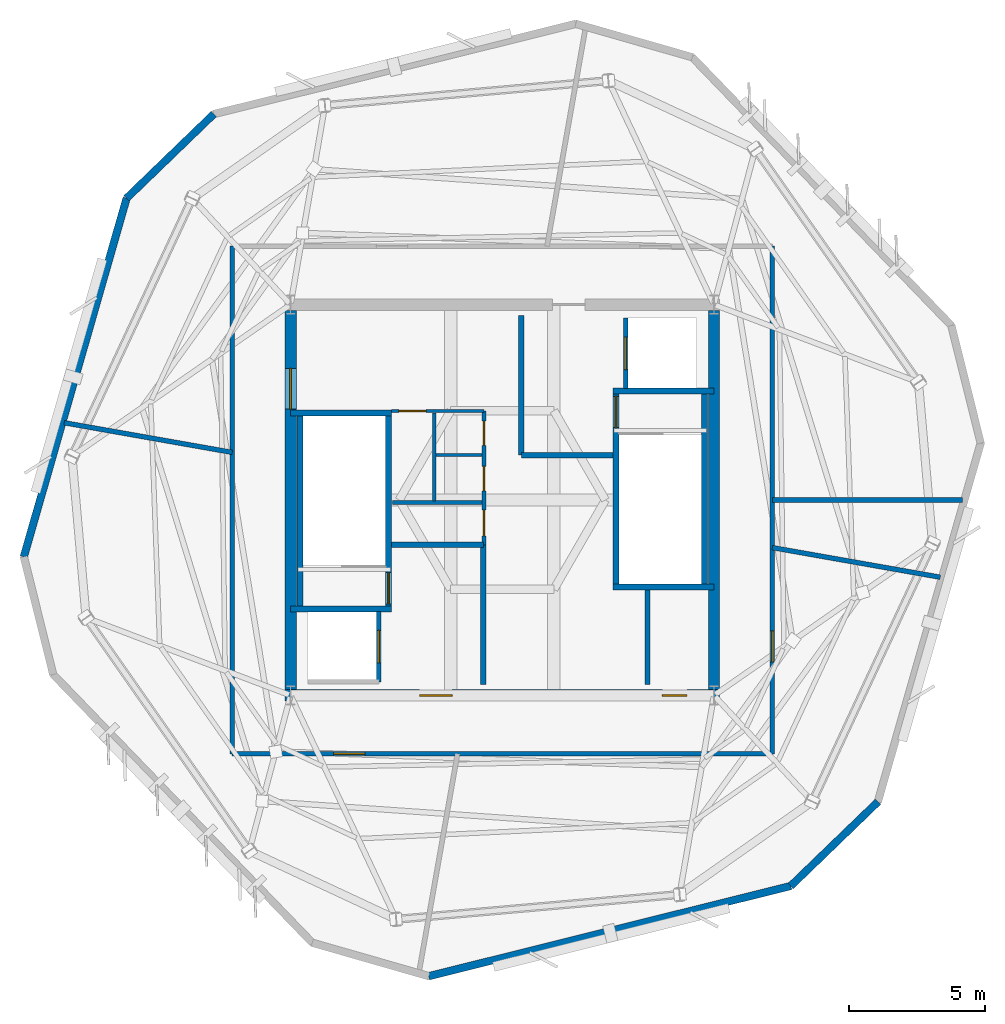
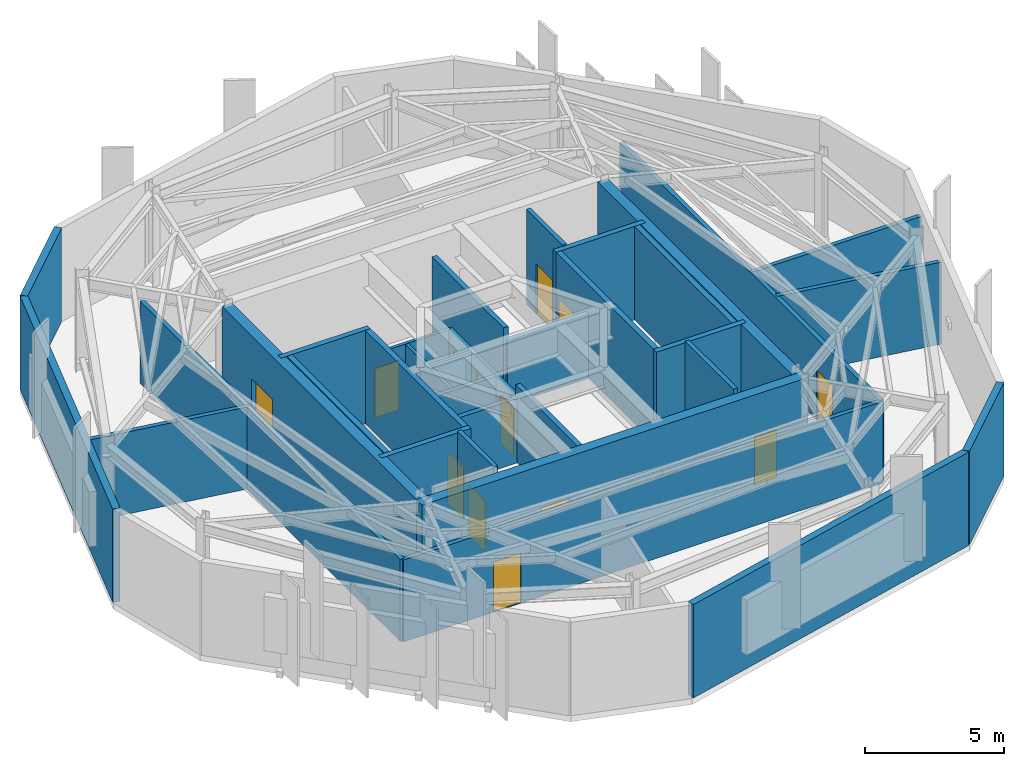
# One storey, part 3 of 5: 33 walls, 13 doors, 13 openings.
"""IFC4 building model written with IfcOpenShell, lengths in metres."""

import ifcopenshell
import ifcopenshell.guid

model = None  # the IFC model being written
_history = None  # IfcOwnerHistory: only IFC2X3 demands one
_inside = {}  # id of a spatial element -> (the spatial element, [elements in it])
_under = {}  # id of a project, library or spatial element -> (it, [spatial elements below it])
_declared = {}  # id of a project -> (the project, [libraries it declares])
_typed = {}  # id of a type object -> (the type object, [elements of that type])
_made_of = {}  # id of a material, layer set ... -> (it, [elements and type objects made of it])


def new_model(schema):
    """Start an empty IFC model of exactly this schema.

    Asked for "IFC4X3", IfcOpenShell would pick the latest addendum, in which some entities
    have other attributes; the version numbers below select the first issue.
    IFC2X3 requires an IfcOwnerHistory on every rooted entity: one is made here for all.
    """
    global model, _history
    if schema == "IFC4X3":
        model = ifcopenshell.file(schema_version=(4, 3, 0, 0))
    else:
        model = ifcopenshell.file(schema=schema)
    _inside.clear()
    _under.clear()
    _declared.clear()
    _typed.clear()
    _made_of.clear()
    _history = None
    if model.schema == "IFC2X3":
        org = make("IfcOrganization", Name="unknown")
        user = make(
            "IfcPersonAndOrganization",
            ThePerson=make("IfcPerson", FamilyName="unknown"),
            TheOrganization=org,
        )
        app = make(
            "IfcApplication",
            ApplicationDeveloper=org,
            Version="unknown",
            ApplicationFullName="unknown",
            ApplicationIdentifier="unknown",
        )
        _history = make(
            "IfcOwnerHistory",
            OwningUser=user,
            OwningApplication=app,
            ChangeAction="ADDED",
            CreationDate=0,
        )
    return model


def make(cls, **values):
    """One entity of the class cls with the attributes given. An attribute that is None is left unset."""
    return model.create_entity(
        cls, **{name: value for name, value in values.items() if value is not None}
    )


def rooted(cls, **values):
    """An entity with a GlobalId (a new one), such as an element, a storey or a relation."""
    return make(cls, GlobalId=ifcopenshell.guid.new(), OwnerHistory=_history, **values)


def si_unit(unit_type, name, prefix=None):
    """IfcSIUnit, for example si_unit("LENGTHUNIT", "METRE", prefix="MILLI")."""
    return make("IfcSIUnit", UnitType=unit_type, Prefix=prefix, Name=name)


def assignment(units):
    """IfcUnitAssignment: the units of a project."""
    return None if units is None else make("IfcUnitAssignment", Units=units)


def point(xyz):
    """IfcCartesianPoint."""
    return None if xyz is None else make("IfcCartesianPoint", Coordinates=xyz)


def direction(xyz):
    """IfcDirection."""
    return None if xyz is None else make("IfcDirection", DirectionRatios=xyz)


def frame(location, z_axis=None, x_axis=None):
    """IfcAxis2Placement3D, a coordinate frame: its origin and axes. An axis left out is left unset."""
    return make(
        "IfcAxis2Placement3D",
        Location=point(location),
        Axis=direction(z_axis),
        RefDirection=direction(x_axis),
    )


def frame_2d(location, x_axis=None):
    """IfcAxis2Placement2D, a coordinate frame in the plane: its origin and x axis."""
    return make(
        "IfcAxis2Placement2D", Location=point(location), RefDirection=direction(x_axis)
    )


def origin():
    """The frame at (0, 0, 0) with its axes left unset."""
    return frame((0.0, 0.0, 0.0))


def place(relative_to, where):
    """IfcLocalPlacement: puts the frame where relative to a parent placement (None: the world)."""
    return make(
        "IfcLocalPlacement", PlacementRelTo=relative_to, RelativePlacement=where
    )


def context(
    kind, dimensions, precision=None, world=None, true_north=None, identifier=None
):
    """IfcGeometricRepresentationContext, for example the 3D "Model" context."""
    return make(
        "IfcGeometricRepresentationContext",
        ContextIdentifier=identifier,
        ContextType=kind,
        CoordinateSpaceDimension=dimensions,
        Precision=precision,
        WorldCoordinateSystem=world,
        TrueNorth=true_north,
    )


def subcontext(parent, identifier, kind, view, scale=None):
    """IfcGeometricRepresentationSubContext, for example "Body" below "Model"."""
    return make(
        "IfcGeometricRepresentationSubContext",
        ContextIdentifier=identifier,
        ContextType=kind,
        ParentContext=parent,
        TargetScale=scale,
        TargetView=view,
    )


def project(units=None, contexts=None):
    """IfcProject with its units and contexts."""
    return rooted(
        "IfcProject",
        Name="project",
        RepresentationContexts=contexts,
        UnitsInContext=assignment(units),
    )


def spatial(cls, under=None, at=None, **own):
    """A site, building, storey or space (cls), placed at a placement, below another one or the project."""
    s = rooted(cls, ObjectPlacement=at, **own)
    if under is not None:
        _under.setdefault(under.id(), (under, []))[1].append(s)
    return s


def profile(cls, at=None, kind="AREA", **sizes):
    """A parametric profile (cls). Its sizes go by their IFC names, for example OverallWidth=200.0."""
    return make(cls, ProfileType=kind, Position=at, **sizes)


def rectangle(**sizes):
    """IfcRectangleProfileDef."""
    return profile("IfcRectangleProfileDef", **sizes)


def extrude(swept, where, along, depth):
    """IfcExtrudedAreaSolid: the profile swept, set in the frame where, extruded along a direction by depth."""
    return make(
        "IfcExtrudedAreaSolid",
        SweptArea=swept,
        Position=where,
        ExtrudedDirection=direction(along),
        Depth=depth,
    )


def shape(context_of_items, identifier, shape_type, items):
    """IfcShapeRepresentation: the items that make up one representation, for example the "Body"."""
    return make(
        "IfcShapeRepresentation",
        ContextOfItems=context_of_items,
        RepresentationIdentifier=identifier,
        RepresentationType=shape_type,
        Items=items,
    )


def material(Name=None, Category=None):
    """IfcMaterial."""
    return make("IfcMaterial", Name=Name, Category=Category)


def layer(
    of_material, thickness, ventilated=None, Name=None, Category=None, Priority=None
):
    """IfcMaterialLayer: one layer of a wall or slab, of a material (None: an air gap)."""
    return make(
        "IfcMaterialLayer",
        Material=of_material,
        LayerThickness=thickness,
        IsVentilated=ventilated,
        Name=Name,
        Category=Category,
        Priority=Priority,
    )


def layer_set(layers, Name=None):
    """IfcMaterialLayerSet."""
    return make("IfcMaterialLayerSet", MaterialLayers=layers, LayerSetName=Name)


def made_of(thing, what):
    """Note that an element or type object is made of a material, layer set ...; save() writes the relation."""
    if what is not None:
        _made_of.setdefault(what.id(), (what, []))[1].append(thing)
    return thing


def type_object(cls, material=None, **own):
    """A type object (cls), such as IfcWallType, which elements share."""
    return made_of(rooted(cls, **own), material)


def element(
    cls,
    number,
    at=None,
    inside=None,
    cuts=None,
    type_object=None,
    material=None,
    context=None,
    identifier="Body",
    shape_type=None,
    held_by="IfcProductDefinitionShape",
    body=None,
    shapes=None,
    **own,
):
    """One element of the class cls, such as IfcWall. Its Tag is "e" and its number.

    at: its placement. inside: the storey or other place that contains it. cuts: it is an
    opening in that element (IfcRelVoidsElement). A single representation is given by context,
    identifier, shape_type and body (its items); several are given by shapes. held_by: the class
    of the entity that holds the representations. save() writes the other relations.
    """
    e = rooted(cls, Tag="e%d" % number, ObjectPlacement=at, **own)
    if body is not None:
        shapes = [shape(context, identifier, shape_type, body)]
    if shapes is not None:
        e.Representation = make(held_by, Representations=shapes)
    if inside is not None:
        _inside.setdefault(inside.id(), (inside, []))[1].append(e)
    if cuts is not None:
        rooted(
            "IfcRelVoidsElement", RelatingBuildingElement=cuts, RelatedOpeningElement=e
        )
    if type_object is not None:
        _typed.setdefault(type_object.id(), (type_object, []))[1].append(e)
    return made_of(e, material)


def fill(opening, filler):
    """IfcRelFillsElement: the door or window that sits in an opening."""
    return rooted(
        "IfcRelFillsElement",
        RelatingOpeningElement=opening,
        RelatedBuildingElement=filler,
    )


def aggregate(whole, parts):
    """IfcRelAggregates: a whole, such as a stair, and the parts it consists of."""
    return rooted("IfcRelAggregates", RelatingObject=whole, RelatedObjects=parts)


def save(model, path):
    """Write the relations noted so far, then the file.

    IfcRelAggregates (storeys below a building ...), IfcRelContainedInSpatialStructure (elements
    in a storey), IfcRelDefinesByType, IfcRelAssociatesMaterial and IfcRelDeclares: one each for
    every whole, place, type object, material and project.
    """
    for whole, parts in _under.values():
        aggregate(whole, parts)
    for where, things in _inside.values():
        rooted(
            "IfcRelContainedInSpatialStructure",
            RelatedElements=things,
            RelatingStructure=where,
        )
    for kind, things in _typed.values():
        rooted("IfcRelDefinesByType", RelatedObjects=things, RelatingType=kind)
    for what, things in _made_of.values():
        rooted("IfcRelAssociatesMaterial", RelatedObjects=things, RelatingMaterial=what)
    for by, libraries in _declared.values():
        rooted("IfcRelDeclares", RelatingContext=by, RelatedDefinitions=libraries)
    model.write(path)


model = new_model("IFC4")

# Units and contexts
model_context = context("Model", 3, precision=1e-05, world=origin(), true_north=direction((0.0, 1.0)))
body_context = subcontext(model_context, "Body", "Model", "MODEL_VIEW")
ifc_project = project(units=[si_unit("LENGTHUNIT", "METRE"), si_unit("AREAUNIT", "SQUARE_METRE"), si_unit("VOLUMEUNIT", "CUBIC_METRE"), si_unit("PLANEANGLEUNIT", "RADIAN"), si_unit("MASSUNIT", "GRAM", prefix="KILO")], contexts=[model_context])

# Site, building, storey
site_placement = place(None, origin())
site = spatial("IfcSite", under=ifc_project, at=site_placement, CompositionType="ELEMENT")
building_placement = place(site_placement, origin())
building = spatial("IfcBuilding", under=site, at=building_placement, Name="Kranzbogen Civic Tower", CompositionType="ELEMENT")
storey_placement = place(building_placement, frame((0.0, 0.0, 322.60009765625)))
storey = spatial("IfcBuildingStorey", under=building, at=storey_placement, Name="L78", CompositionType="ELEMENT", Elevation=322.60009765625)

# Wall, opening, door
ifc_material_1 = material(Name="Insulated Metal-Stud Gypsum Partition")
ifc_layer_1 = layer(ifc_material_1, 0.125, Name="Insulated Metal-Stud Gypsum Partition")
ifc_layer_set_1 = layer_set([ifc_layer_1], Name="Insulated Metal-Stud Gypsum Partition")
wall_type_1 = type_object("IfcWallType", Name="Acoustic Inter-Room Partition 125 mm", PredefinedType="PARTITIONING", material=ifc_layer_set_1)
wall_1_placement = place(storey_placement, frame((20.919921875, 28.280029296875, 0.0), z_axis=(0.0, 0.0, 1.0), x_axis=(1.0, 0.0, 0.0)))
wall_1 = element("IfcWall", 1, at=wall_1_placement, inside=storey, type_object=wall_type_1, Name="L78 core auxiliary North wall", PredefinedType="PARTITIONING", context=body_context, shape_type="SweptSolid", body=[
    extrude(rectangle(XDim=3.405029296875, YDim=0.125, at=frame_2d((1.70263671875, 0.0))), origin(), (0.0, 0.0, 1.0), 2.81982421875),
])
opening_1_placement = place(wall_1_placement, frame((0.27001953125, 0.0, 0.0)))
opening_1 = element("IfcOpeningElement", 2, at=opening_1_placement, cuts=wall_1, Name="Opening D-RSR10", PredefinedType="OPENING", context=body_context, shape_type="SweptSolid", body=[
    extrude(rectangle(XDim=1.0, YDim=2.14990234375, at=frame_2d((0.5, 1.074951171875))), frame((0.0, 0.072509765625, 0.0), z_axis=(0.0, -1.0, 0.0), x_axis=(1.0, 0.0, 0.0)), (0.0, 0.0, 1.0), 0.14501953125),
])
ifc_material_2 = material(Name="Oak Timber and Fire Core", Category="wood")
door_type_1 = type_object("IfcDoorType", Name="Core Archive and Riser Fire Door 1000x2150", OperationType="NOTDEFINED", PredefinedType="DOOR", material=ifc_material_2)
door_1_placement = place(opening_1_placement, origin())
door_1 = element("IfcDoor", 3, at=door_1_placement, inside=storey, type_object=door_type_1, Name="L78 Floor Supply Store door", OperationType="SINGLE_SWING_RIGHT", OverallHeight=2.14990234375, OverallWidth=1.0, PredefinedType="DOOR", context=body_context, shape_type="SweptSolid", body=[
    extrude(rectangle(XDim=1.0, YDim=2.14990234375, at=frame_2d((0.5, 1.074951171875))), frame((0.0, 0.02490234375, 0.0), z_axis=(0.0, -1.0, 0.0), x_axis=(1.0, 0.0, 0.0)), (0.0, 0.0, 1.0), 0.050048828125),
])
fill(opening_1, door_1)

# Walls
wall_2_placement = place(storey_placement, frame((22.489990234375, 24.969970703125, 0.0), z_axis=(0.0, 0.0, 1.0), x_axis=(0.0, 1.0, 0.0)))
element("IfcWall", 4, at=wall_2_placement, inside=storey, type_object=wall_type_1, Name="L78 core auxiliary partition 2", PredefinedType="PARTITIONING", context=body_context, shape_type="SweptSolid", body=[
    extrude(rectangle(XDim=3.22998046875, YDim=0.125, at=frame_2d((1.614990234375, 0.0))), origin(), (0.0, 0.0, 1.0), 2.81982421875),
])
wall_3_placement = place(storey_placement, frame((22.550048828125, 26.659912109375, 0.0), z_axis=(0.0, 0.0, 1.0), x_axis=(1.0, 0.0, 0.0)))
element("IfcWall", 5, at=wall_3_placement, inside=storey, type_object=wall_type_1, Name="L78 core auxiliary partition 3", PredefinedType="PARTITIONING", context=body_context, shape_type="SweptSolid", body=[
    extrude(rectangle(XDim=1.699951171875, YDim=0.125, at=frame_2d((0.85009765625, 0.0))), origin(), (0.0, 0.0, 1.0), 2.81982421875),
])

# Wall, openings, doors
ifc_material_3 = material(Name="Concrete C45/55", Category="concrete")
ifc_layer_2 = layer(ifc_material_3, 0.419921875, Name="Concrete C45/55")
ifc_layer_set_2 = layer_set([ifc_layer_2], Name="Concrete C45/55")
wall_type_2 = type_object("IfcWallType", Name="Central Core Shear Wall 420 mm", PredefinedType="SHEAR", material=ifc_layer_set_2)
wall_4_placement = place(storey_placement, frame((16.989990234375, 17.800048828125, 0.0), z_axis=(0.0, 0.0, 1.0), x_axis=(1.0, 0.0, 0.0)))
wall_4 = element("IfcWall", 6, at=wall_4_placement, inside=storey, type_object=wall_type_2, Name="L78 central core South shear wall", PredefinedType="SHEAR", context=body_context, shape_type="SweptSolid", body=[
    extrude(rectangle(XDim=16.02001953125, YDim=0.419921875, at=frame_2d((8.010009765625, 0.0))), origin(), (0.0, 0.0, 1.0), 4.099853515625),
])
opening_2_placement = place(wall_4_placement, frame((4.9599609375, 0.0, 0.0)))
opening_2 = element("IfcOpeningElement", 7, at=opening_2_placement, cuts=wall_4, Name="Opening D-EX120", PredefinedType="OPENING", context=body_context, shape_type="SweptSolid", body=[
    extrude(rectangle(XDim=1.199951171875, YDim=2.25, at=frame_2d((0.60009765625, 1.125))), frame((0.0, 0.219970703125, 0.0), z_axis=(0.0, -1.0, 0.0), x_axis=(1.0, 0.0, 0.0)), (0.0, 0.0, 1.0), 0.43994140625),
])
opening_3_placement = place(wall_4_placement, frame((13.909912109375, 0.0, 0.0)))
opening_3 = element("IfcOpeningElement", 8, at=opening_3_placement, cuts=wall_4, Name="Opening D-WC90", PredefinedType="OPENING", context=body_context, shape_type="SweptSolid", body=[
    extrude(rectangle(XDim=0.89990234375, YDim=2.10009765625, at=frame_2d((0.449951171875, 1.050048828125))), frame((0.0, 0.219970703125, 0.0), z_axis=(0.0, -1.0, 0.0), x_axis=(1.0, 0.0, 0.0)), (0.0, 0.0, 1.0), 0.43994140625),
])
ifc_material_4 = material(Name="Steel S355", Category="steel")
door_type_2 = type_object("IfcDoorType", Name="Exit Passageway Fire Door 1200x2250", OperationType="NOTDEFINED", PredefinedType="DOOR", material=ifc_material_4)
door_2_placement = place(opening_2_placement, origin())
door_2 = element("IfcDoor", 9, at=door_2_placement, inside=storey, type_object=door_type_2, Name="L78 West firefighting lobby corridor door", OperationType="SINGLE_SWING_LEFT", OverallHeight=2.25, OverallWidth=1.199951171875, PredefinedType="DOOR", context=body_context, shape_type="SweptSolid", body=[
    extrude(rectangle(XDim=1.199951171875, YDim=2.25, at=frame_2d((0.60009765625, 1.125))), frame((0.0, 0.02490234375, 0.0), z_axis=(0.0, -1.0, 0.0), x_axis=(1.0, 0.0, 0.0)), (0.0, 0.0, 1.0), 0.050048828125),
])
fill(opening_2, door_2)
ifc_material_5 = material(Name="Moisture-Resistant Laminate")
door_type_3 = type_object("IfcDoorType", Name="Standard Restroom and Store Door 900x2100", OperationType="NOTDEFINED", PredefinedType="DOOR", material=ifc_material_5)
door_3_placement = place(opening_3_placement, origin())
door_3 = element("IfcDoor", 10, at=door_3_placement, inside=storey, type_object=door_type_3, Name="L78 East electrical riser access door", OperationType="SINGLE_SWING_LEFT", OverallHeight=2.10009765625, OverallWidth=0.89990234375, PredefinedType="DOOR", context=body_context, shape_type="SweptSolid", body=[
    extrude(rectangle(XDim=0.89990234375, YDim=2.10009765625, at=frame_2d((0.449951171875, 1.050048828125))), frame((0.0, 0.02490234375, 0.0), z_axis=(0.0, -1.0, 0.0), x_axis=(1.0, 0.0, 0.0)), (0.0, 0.0, 1.0), 0.050048828125),
])
fill(opening_3, door_3)

# Wall, opening, door
wall_5_placement = place(storey_placement, frame((17.199951171875, 31.989990234375, 0.0), z_axis=(0.0, 0.0, 1.0), x_axis=(0.0, -1.0, 0.0)))
wall_5 = element("IfcWall", 11, at=wall_5_placement, inside=storey, type_object=wall_type_2, Name="L78 central core West shear wall", PredefinedType="SHEAR", context=body_context, shape_type="SweptSolid", body=[
    extrude(rectangle(XDim=13.97998046875, YDim=0.419921875, at=frame_2d((6.989990234375, 0.0))), origin(), (0.0, 0.0, 1.0), 4.099853515625),
])
opening_4_placement = place(wall_5_placement, frame((2.139892578125, 0.0, 0.0)))
opening_4 = element("IfcOpeningElement", 12, at=opening_4_placement, cuts=wall_5, Name="Opening D-DBL15", PredefinedType="OPENING", context=body_context, shape_type="SweptSolid", body=[
    extrude(rectangle(XDim=1.5, YDim=2.199951171875, at=frame_2d((0.75, 1.10009765625))), frame((0.0, 0.219970703125, 0.0), z_axis=(0.0, -1.0, 0.0), x_axis=(1.0, 0.0, 0.0)), (0.0, 0.0, 1.0), 0.43994140625),
])
ifc_material_6 = material(Name="Anodised Bronze and Glass", Category="glass")
door_type_4 = type_object("IfcDoorType", Name="Civic Lobby Double Door 1500x2200", OperationType="DOUBLE_DOOR_SINGLE_SWING", PredefinedType="DOOR", material=ifc_material_6)
door_4_placement = place(opening_4_placement, origin())
door_4 = element("IfcDoor", 13, at=door_4_placement, inside=storey, type_object=door_type_4, Name="L78 Central Lift Lobby West concourse door", OperationType="DOUBLE_DOOR_SINGLE_SWING", OverallHeight=2.199951171875, OverallWidth=1.5, PredefinedType="DOOR", context=body_context, shape_type="SweptSolid", body=[
    extrude(rectangle(XDim=1.5, YDim=2.199951171875, at=frame_2d((0.75, 1.10009765625))), frame((0.0, 0.02490234375, 0.0), z_axis=(0.0, -1.0, 0.0), x_axis=(1.0, 0.0, 0.0)), (0.0, 0.0, 1.0), 0.050048828125),
])
fill(opening_4, door_4)

# Wall
wall_6_placement = place(storey_placement, frame((32.800048828125, 18.010009765625, 0.0), z_axis=(0.0, 0.0, 1.0), x_axis=(0.0, 1.0, 0.0)))
element("IfcWall", 14, at=wall_6_placement, inside=storey, type_object=wall_type_2, Name="L78 central core East shear wall", PredefinedType="SHEAR", context=body_context, shape_type="SweptSolid", body=[
    extrude(rectangle(XDim=13.97998046875, YDim=0.419921875, at=frame_2d((6.989990234375, 0.0))), origin(), (0.0, 0.0, 1.0), 4.099853515625),
])

# Wall, opening, door
ifc_layer_3 = layer(ifc_material_3, 0.219970703125, Name="Concrete C45/55")
ifc_layer_set_3 = layer_set([ifc_layer_3], Name="Concrete C45/55")
wall_type_3 = type_object("IfcWallType", Name="Core Internal Stair Structural Wall 220 mm", PredefinedType="SOLIDWALL", material=ifc_layer_set_3)
wall_7_placement = place(storey_placement, frame((20.81005859375, 20.989990234375, 0.0), z_axis=(0.0, 0.0, 1.0), x_axis=(0.0, 1.0, 0.0)))
wall_7 = element("IfcWall", 15, at=wall_7_placement, inside=storey, type_object=wall_type_3, Name="L78 ST-T1 East structural stair wall", PredefinedType="SOLIDWALL", context=body_context, shape_type="SweptSolid", body=[
    extrude(rectangle(XDim=7.219970703125, YDim=0.219970703125, at=frame_2d((3.60986328125, 0.0))), origin(), (0.0, 0.0, 1.0), 4.099853515625),
])
opening_5_placement = place(wall_7_placement, frame((0.179931640625, 0.0, 0.0)))
opening_5 = element("IfcOpeningElement", 16, at=opening_5_placement, cuts=wall_7, Name="Opening D-ST90", PredefinedType="OPENING", context=body_context, shape_type="SweptSolid", body=[
    extrude(rectangle(XDim=1.14990234375, YDim=2.199951171875, at=frame_2d((0.574951171875, 1.10009765625))), frame((0.0, 0.1201171875, 0.0), z_axis=(0.0, -1.0, 0.0), x_axis=(1.0, 0.0, 0.0)), (0.0, 0.0, 1.0), 0.239990234375),
])
door_type_5 = type_object("IfcDoorType", Name="Pressurized Stair and Lobby Fire Door 1150x2200", OperationType="NOTDEFINED", PredefinedType="DOOR", material=ifc_material_4)
door_5_placement = place(opening_5_placement, origin())
door_5 = element("IfcDoor", 17, at=door_5_placement, inside=storey, type_object=door_type_5, Name="L78 Stair ST-T1 fire door", OperationType="SINGLE_SWING_LEFT", OverallHeight=2.199951171875, OverallWidth=1.14990234375, PredefinedType="DOOR", context=body_context, shape_type="SweptSolid", body=[
    extrude(rectangle(XDim=1.14990234375, YDim=2.199951171875, at=frame_2d((0.574951171875, 1.10009765625))), frame((0.0, 0.02490234375, 0.0), z_axis=(0.0, -1.0, 0.0), x_axis=(1.0, 0.0, 0.0)), (0.0, 0.0, 1.0), 0.050048828125),
])
fill(opening_5, door_5)

# Walls
for number, where, z_axis, x_axis, name in (
    (18, (17.199951171875, 20.989990234375, 0.0), (0.0, 0.0, 1.0), (1.0, 0.0, 0.0), "L78 ST-T1 South structural stair wall"),
    (19, (17.199951171875, 28.2099609375, 0.0), (0.0, 0.0, 1.0), (1.0, 0.0, 0.0), "L78 ST-T1 North structural stair wall"),
):
    element("IfcWall", number, at=place(storey_placement, frame(where, z_axis=z_axis, x_axis=x_axis)), inside=storey, type_object=wall_type_3, Name=name, PredefinedType="SOLIDWALL", context=body_context, shape_type="SweptSolid", body=[
        extrude(rectangle(XDim=3.719970703125, YDim=0.219970703125, at=frame_2d((1.85986328125, 0.0))), origin(), (0.0, 0.0, 1.0), 4.099853515625),
    ])
wall_8_placement = place(storey_placement, frame((17.554931640625, 28.2099609375, 0.0), z_axis=(0.0, 0.0, 1.0), x_axis=(0.0, -1.0, 0.0)))
element("IfcWall", 20, at=wall_8_placement, inside=storey, type_object=wall_type_3, Name="L78 ST-T1 West structural stair wall", PredefinedType="SOLIDWALL", context=body_context, shape_type="SweptSolid", body=[
    extrude(rectangle(XDim=7.219970703125, YDim=0.219970703125, at=frame_2d((3.60986328125, 0.0))), origin(), (0.0, 0.0, 1.0), 4.099853515625),
])

# Wall, opening, door
wall_9_placement = place(storey_placement, frame((29.18994140625, 21.7900390625, 0.0), z_axis=(0.0, 0.0, 1.0), x_axis=(0.0, 1.0, 0.0)))
wall_9 = element("IfcWall", 21, at=wall_9_placement, inside=storey, type_object=wall_type_3, Name="L78 ST-T2 West structural stair wall", PredefinedType="SOLIDWALL", context=body_context, shape_type="SweptSolid", body=[
    extrude(rectangle(XDim=7.219970703125, YDim=0.219970703125, at=frame_2d((3.60986328125, 0.0))), origin(), (0.0, 0.0, 1.0), 4.099853515625),
])
opening_6_placement = place(wall_9_placement, frame((5.8798828125, 0.0, 0.0)))
opening_6 = element("IfcOpeningElement", 22, at=opening_6_placement, cuts=wall_9, Name="Opening D-ST90", PredefinedType="OPENING", context=body_context, shape_type="SweptSolid", body=[
    extrude(rectangle(XDim=1.14990234375, YDim=2.199951171875, at=frame_2d((0.574951171875, 1.10009765625))), frame((0.0, 0.1201171875, 0.0), z_axis=(0.0, -1.0, 0.0), x_axis=(1.0, 0.0, 0.0)), (0.0, 0.0, 1.0), 0.239990234375),
])
door_6_placement = place(opening_6_placement, origin())
door_6 = element("IfcDoor", 23, at=door_6_placement, inside=storey, type_object=door_type_5, Name="L78 Stair ST-T2 fire door", OperationType="SINGLE_SWING_RIGHT", OverallHeight=2.199951171875, OverallWidth=1.14990234375, PredefinedType="DOOR", context=body_context, shape_type="SweptSolid", body=[
    extrude(rectangle(XDim=1.14990234375, YDim=2.199951171875, at=frame_2d((0.574951171875, 1.10009765625))), frame((0.0, 0.02490234375, 0.0), z_axis=(0.0, -1.0, 0.0), x_axis=(1.0, 0.0, 0.0)), (0.0, 0.0, 1.0), 0.050048828125),
])
fill(opening_6, door_6)

# Walls
for number, where, z_axis, x_axis, name in (
    (24, (29.080078125, 21.7900390625, 0.0), (0.0, 0.0, 1.0), (1.0, 0.0, 0.0), "L78 ST-T2 South structural stair wall"),
    (25, (29.080078125, 29.010009765625, 0.0), (0.0, 0.0, 1.0), (1.0, 0.0, 0.0), "L78 ST-T2 North structural stair wall"),
):
    element("IfcWall", number, at=place(storey_placement, frame(where, z_axis=z_axis, x_axis=x_axis)), inside=storey, type_object=wall_type_3, Name=name, PredefinedType="SOLIDWALL", context=body_context, shape_type="SweptSolid", body=[
        extrude(rectangle(XDim=3.719970703125, YDim=0.219970703125, at=frame_2d((1.85986328125, 0.0))), origin(), (0.0, 0.0, 1.0), 4.099853515625),
    ])
wall_10_placement = place(storey_placement, frame((32.445068359375, 29.010009765625, 0.0), z_axis=(0.0, 0.0, 1.0), x_axis=(0.0, -1.0, 0.0)))
element("IfcWall", 26, at=wall_10_placement, inside=storey, type_object=wall_type_3, Name="L78 ST-T2 East structural stair wall", PredefinedType="SOLIDWALL", context=body_context, shape_type="SweptSolid", body=[
    extrude(rectangle(XDim=7.219970703125, YDim=0.219970703125, at=frame_2d((3.60986328125, 0.0))), origin(), (0.0, 0.0, 1.0), 4.099853515625),
])
ifc_material_7 = material(Name="Gypsum Fireboard and Concrete Block", Category="concrete")
ifc_layer_4 = layer(ifc_material_7, 0.199951171875, Name="Gypsum Fireboard and Concrete Block")
ifc_layer_set_4 = layer_set([ifc_layer_4], Name="Gypsum Fireboard and Concrete Block")
wall_type_4 = type_object("IfcWallType", Name="Fire-Rated Exit Passageway and Stair Wall 200 mm", PredefinedType="PARTITIONING", material=ifc_layer_set_4)
wall_11_placement = place(storey_placement, frame((24.300048828125, 18.199951171875, 0.0), z_axis=(0.0, 0.0, 1.0), x_axis=(0.0, 1.0, 0.0)))
element("IfcWall", 27, at=wall_11_placement, inside=storey, type_object=wall_type_4, Name="L78 West firefighting lobby East wall", PredefinedType="PARTITIONING", context=body_context, shape_type="SweptSolid", body=[
    extrude(rectangle(XDim=5.150146484375, YDim=0.199951171875, at=frame_2d((2.5751953125, 0.0))), origin(), (0.0, 0.0, 1.0), 3.369873046875),
])
wall_12_placement = place(storey_placement, frame((20.919921875, 23.35009765625, 0.0), z_axis=(0.0, 0.0, 1.0), x_axis=(1.0, 0.0, 0.0)))
element("IfcWall", 28, at=wall_12_placement, inside=storey, type_object=wall_type_4, Name="L78 West firefighting lobby North wall", PredefinedType="PARTITIONING", context=body_context, shape_type="SweptSolid", body=[
    extrude(rectangle(XDim=3.380126953125, YDim=0.199951171875, at=frame_2d((1.68994140625, 0.0))), origin(), (0.0, 0.0, 1.0), 2.81982421875),
])
wall_13_placement = place(storey_placement, frame((25.699951171875, 26.64990234375, 0.0), z_axis=(0.0, 0.0, 1.0), x_axis=(0.0, 1.0, 0.0)))
element("IfcWall", 29, at=wall_13_placement, inside=storey, type_object=wall_type_4, Name="L78 East firefighting lobby West wall", PredefinedType="PARTITIONING", context=body_context, shape_type="SweptSolid", body=[
    extrude(rectangle(XDim=5.150146484375, YDim=0.199951171875, at=frame_2d((2.5751953125, 0.0))), origin(), (0.0, 0.0, 1.0), 3.369873046875),
])
wall_14_placement = place(storey_placement, frame((25.699951171875, 26.64990234375, 0.0), z_axis=(0.0, 0.0, 1.0), x_axis=(1.0, 0.0, 0.0)))
element("IfcWall", 30, at=wall_14_placement, inside=storey, type_object=wall_type_4, Name="L78 East firefighting lobby South wall", PredefinedType="PARTITIONING", context=body_context, shape_type="SweptSolid", body=[
    extrude(rectangle(XDim=3.380126953125, YDim=0.199951171875, at=frame_2d((1.68994140625, 0.0))), origin(), (0.0, 0.0, 1.0), 2.81982421875),
])
ifc_material_8 = material(Name="Gypsum Fireboard Shaftliner")
ifc_layer_5 = layer(ifc_material_8, 0.175048828125, Name="Gypsum Fireboard Shaftliner")
ifc_layer_set_5 = layer_set([ifc_layer_5], Name="Gypsum Fireboard Shaftliner")
wall_type_5 = type_object("IfcWallType", Name="Fire-Rated Lift and Service Shaft Wall 175 mm", PredefinedType="PARTITIONING", material=ifc_layer_set_5)
wall_15_placement = place(storey_placement, frame((30.35009765625, 18.199951171875, 0.0), z_axis=(0.0, 0.0, 1.0), x_axis=(0.0, 1.0, 0.0)))
element("IfcWall", 31, at=wall_15_placement, inside=storey, type_object=wall_type_5, Name="L78 East core riser West wall", PredefinedType="PARTITIONING", context=body_context, shape_type="SweptSolid", body=[
    extrude(rectangle(XDim=3.47998046875, YDim=0.175048828125, at=frame_2d((1.739990234375, 0.0))), origin(), (0.0, 0.0, 1.0), 4.169921875),
])

# Wall, opening, door
wall_16_placement = place(storey_placement, frame((20.449951171875, 18.300048828125, 0.0), z_axis=(0.0, 0.0, 1.0), x_axis=(0.0, 1.0, 0.0)))
wall_16 = element("IfcWall", 32, at=wall_16_placement, inside=storey, type_object=wall_type_5, Name="L78 lift FF-01 landing wall", PredefinedType="PARTITIONING", context=body_context, shape_type="SweptSolid", body=[
    extrude(rectangle(XDim=2.599853515625, YDim=0.175048828125, at=frame_2d((1.2998046875, 0.0))), origin(), (0.0, 0.0, 1.0), 4.169921875),
])
opening_7_placement = place(wall_16_placement, frame((0.699951171875, 0.0, 0.0)))
opening_7 = element("IfcOpeningElement", 33, at=opening_7_placement, cuts=wall_16, Name="Opening LD-FF-01", PredefinedType="OPENING", context=body_context, shape_type="SweptSolid", body=[
    extrude(rectangle(XDim=1.199951171875, YDim=2.199951171875, at=frame_2d((0.60009765625, 1.10009765625))), frame((0.0, 0.09765625, 0.0), z_axis=(0.0, -1.0, 0.0), x_axis=(1.0, 0.0, 0.0)), (0.0, 0.0, 1.0), 0.195068359375),
])
ifc_material_9 = material(Name="Pale Anodised Aluminium", Category="aluminium")
door_type_6 = type_object("IfcDoorType", Name="Firefighting and Stretcher Lift Sliding Landing Door 1200x2200", OperationType="DOUBLE_DOOR_SLIDING", PredefinedType="DOOR", material=ifc_material_9)
door_7_placement = place(opening_7_placement, origin())
door_7 = element("IfcDoor", 34, at=door_7_placement, inside=storey, type_object=door_type_6, Name="L78 lift FF-01 sliding landing door", OperationType="DOUBLE_DOOR_SLIDING", OverallHeight=2.199951171875, OverallWidth=1.199951171875, PredefinedType="DOOR", context=body_context, shape_type="SweptSolid", body=[
    extrude(rectangle(XDim=1.199951171875, YDim=2.199951171875, at=frame_2d((0.60009765625, 1.10009765625))), frame((0.0, 0.02490234375, 0.0), z_axis=(0.0, -1.0, 0.0), x_axis=(1.0, 0.0, 0.0)), (0.0, 0.0, 1.0), 0.050048828125),
])
fill(opening_7, door_7)

wall_17_placement = place(storey_placement, frame((29.550048828125, 29.10009765625, 0.0), z_axis=(0.0, 0.0, 1.0), x_axis=(0.0, 1.0, 0.0)))
wall_17 = element("IfcWall", 35, at=wall_17_placement, inside=storey, type_object=wall_type_5, Name="L78 lift FF-02 landing wall", PredefinedType="PARTITIONING", context=body_context, shape_type="SweptSolid", body=[
    extrude(rectangle(XDim=2.599853515625, YDim=0.175048828125, at=frame_2d((1.2998046875, 0.0))), origin(), (0.0, 0.0, 1.0), 4.169921875),
])
opening_8_placement = place(wall_17_placement, frame((0.699951171875, 0.0, 0.0)))
opening_8 = element("IfcOpeningElement", 36, at=opening_8_placement, cuts=wall_17, Name="Opening LD-FF-02", PredefinedType="OPENING", context=body_context, shape_type="SweptSolid", body=[
    extrude(rectangle(XDim=1.199951171875, YDim=2.199951171875, at=frame_2d((0.60009765625, 1.10009765625))), frame((0.0, 0.09765625, 0.0), z_axis=(0.0, -1.0, 0.0), x_axis=(1.0, 0.0, 0.0)), (0.0, 0.0, 1.0), 0.195068359375),
])
door_8_placement = place(opening_8_placement, origin())
door_8 = element("IfcDoor", 37, at=door_8_placement, inside=storey, type_object=door_type_6, Name="L78 lift FF-02 sliding landing door", OperationType="DOUBLE_DOOR_SLIDING", OverallHeight=2.199951171875, OverallWidth=1.199951171875, PredefinedType="DOOR", context=body_context, shape_type="SweptSolid", body=[
    extrude(rectangle(XDim=1.199951171875, YDim=2.199951171875, at=frame_2d((0.60009765625, 1.10009765625))), frame((0.0, 0.02490234375, 0.0), z_axis=(0.0, -1.0, 0.0), x_axis=(1.0, 0.0, 0.0)), (0.0, 0.0, 1.0), 0.050048828125),
])
fill(opening_8, door_8)

wall_18_placement = place(storey_placement, frame((34.949951171875, 34.35009765625, 0.0), z_axis=(0.0, 0.0, 1.0), x_axis=(0.0, -1.0, 0.0)))
wall_18 = element("IfcWall", 38, at=wall_18_placement, inside=storey, type_object=wall_type_5, Name="L78 corridor partition 02", PredefinedType="PARTITIONING", context=body_context, shape_type="SweptSolid", body=[
    extrude(rectangle(XDim=18.7001953125, YDim=0.175048828125, at=frame_2d((9.35009765625, 0.0))), origin(), (0.0, 0.0, 1.0), 3.599853515625),
])
opening_9_placement = place(wall_18_placement, frame((14.16796875, 0.0, 0.0)))
opening_9 = element("IfcOpeningElement", 39, at=opening_9_placement, cuts=wall_18, Name="Opening D-ST90", PredefinedType="OPENING", context=body_context, shape_type="SweptSolid", body=[
    extrude(rectangle(XDim=1.14990234375, YDim=2.199951171875, at=frame_2d((0.574951171875, 1.10009765625))), frame((0.0, 0.09765625, 0.0), z_axis=(0.0, -1.0, 0.0), x_axis=(1.0, 0.0, 0.0)), (0.0, 0.0, 1.0), 0.195068359375),
])
door_9_placement = place(opening_9_placement, origin())
door_9 = element("IfcDoor", 40, at=door_9_placement, inside=storey, type_object=door_type_5, Name="L78 Broadcast Transmission Equipment Hall door", OperationType="SINGLE_SWING_LEFT", OverallHeight=2.199951171875, OverallWidth=1.14990234375, PredefinedType="DOOR", context=body_context, shape_type="SweptSolid", body=[
    extrude(rectangle(XDim=1.14990234375, YDim=2.199951171875, at=frame_2d((0.574951171875, 1.10009765625))), frame((0.0, 0.02490234375, 0.0), z_axis=(0.0, -1.0, 0.0), x_axis=(1.0, 0.0, 0.0)), (0.0, 0.0, 1.0), 0.050048828125),
])
fill(opening_9, door_9)

wall_19_placement = place(storey_placement, frame((34.949951171875, 15.64990234375, 0.0), z_axis=(0.0, 0.0, 1.0), x_axis=(-1.0, 0.0, 0.0)))
wall_19 = element("IfcWall", 41, at=wall_19_placement, inside=storey, type_object=wall_type_5, Name="L78 corridor partition 03", PredefinedType="PARTITIONING", context=body_context, shape_type="SweptSolid", body=[
    extrude(rectangle(XDim=19.89990234375, YDim=0.175048828125, at=frame_2d((9.949951171875, 0.0))), origin(), (0.0, 0.0, 1.0), 3.599853515625),
])
opening_10_placement = place(wall_19_placement, frame((15.01611328125, 0.0, 0.0)))
opening_10 = element("IfcOpeningElement", 42, at=opening_10_placement, cuts=wall_19, Name="Opening D-ST90", PredefinedType="OPENING", context=body_context, shape_type="SweptSolid", body=[
    extrude(rectangle(XDim=1.14990234375, YDim=2.199951171875, at=frame_2d((0.574951171875, 1.10009765625))), frame((0.0, 0.09765625, 0.0), z_axis=(0.0, -1.0, 0.0), x_axis=(1.0, 0.0, 0.0)), (0.0, 0.0, 1.0), 0.195068359375),
])
door_10_placement = place(opening_10_placement, origin())
door_10 = element("IfcDoor", 43, at=door_10_placement, inside=storey, type_object=door_type_5, Name="L78 Crown Smoke Extract and Pressurization Plant door", OperationType="SINGLE_SWING_RIGHT", OverallHeight=2.199951171875, OverallWidth=1.14990234375, PredefinedType="DOOR", context=body_context, shape_type="SweptSolid", body=[
    extrude(rectangle(XDim=1.14990234375, YDim=2.199951171875, at=frame_2d((0.574951171875, 1.10009765625))), frame((0.0, 0.02490234375, 0.0), z_axis=(0.0, -1.0, 0.0), x_axis=(1.0, 0.0, 0.0)), (0.0, 0.0, 1.0), 0.050048828125),
])
fill(opening_10, door_10)

# Walls
wall_20_placement = place(storey_placement, frame((15.050048828125, 15.64990234375, 0.0), z_axis=(0.0, 0.0, 1.0), x_axis=(0.0, 1.0, 0.0)))
element("IfcWall", 44, at=wall_20_placement, inside=storey, type_object=wall_type_5, Name="L78 corridor partition 04", PredefinedType="PARTITIONING", context=body_context, shape_type="SweptSolid", body=[
    extrude(rectangle(XDim=18.7001953125, YDim=0.175048828125, at=frame_2d((9.35009765625, 0.0))), origin(), (0.0, 0.0, 1.0), 3.599853515625),
])
for number, where, z_axis, x_axis, name in (
    (45, (15.050048828125, 26.75390625, 0.0), (0.0, 0.0, 1.0), (-0.984791769213, 0.173738801913, 0.0), "L78 radial room partition 02"),
    (46, (34.949951171875, 23.24609375, 0.0), (0.0, 0.0, 1.0), (0.984791769213, -0.173738801913, 0.0), "L78 radial room partition 04"),
):
    element("IfcWall", number, at=place(storey_placement, frame(where, z_axis=z_axis, x_axis=x_axis)), inside=storey, type_object=wall_type_5, Name=name, PredefinedType="PARTITIONING", context=body_context, shape_type="SweptSolid", body=[
        extrude(rectangle(XDim=6.28564453125, YDim=0.175048828125, at=frame_2d((3.142822265625, 0.0))), origin(), (0.0, 0.0, 1.0), 3.599853515625),
    ])
wall_21_placement = place(storey_placement, frame((34.949951171875, 25.0, 0.0), z_axis=(0.0, 0.0, 1.0), x_axis=(1.0, 0.0, 0.0)))
element("IfcWall", 47, at=wall_21_placement, inside=storey, type_object=wall_type_5, Name="L78 radial room partition 05", PredefinedType="PARTITIONING", context=body_context, shape_type="SweptSolid", body=[
    extrude(rectangle(XDim=7.006103515625, YDim=0.175048828125, at=frame_2d((3.5029296875, 0.0))), origin(), (0.0, 0.0, 1.0), 3.599853515625),
])
ifc_layer_6 = layer(ifc_material_9, 0.280029296875, Name="Pale Anodised Aluminium")
ifc_layer_set_6 = layer_set([ifc_layer_6], Name="Pale Anodised Aluminium")
wall_type_6 = type_object("IfcWallType", Name="Plant Acoustic Insulated Spandrel Wall 280 mm", PredefinedType="STANDARD", material=ifc_layer_set_6)
wall_22_placement = place(storey_placement, frame((14.3701171875, 39.221923828125, 0.0), z_axis=(0.0, 0.0, 1.0), x_axis=(-0.719355296742, -0.694642323106, 0.0)))
element("IfcWall", 48, at=wall_22_placement, inside=storey, type_object=wall_type_6, Name="L78 mechanical plant spandrel wall C1", PredefinedType="STANDARD", context=body_context, shape_type="SweptSolid", body=[
    extrude(rectangle(XDim=4.46533203125, YDim=0.280029296875, at=frame_2d((2.232666015625, 0.0))), origin(), (0.0, 0.0, 1.0), 4.099853515625),
])
wall_23_placement = place(storey_placement, frame((11.157958984375, 36.1201171875, 0.0), z_axis=(0.0, 0.0, 1.0), x_axis=(-0.275616991697, -0.961267535022, 0.0)))
element("IfcWall", 49, at=wall_23_placement, inside=storey, type_object=wall_type_6, Name="L78 mechanical plant spandrel wall M2", PredefinedType="STANDARD", context=body_context, shape_type="SweptSolid", body=[
    extrude(rectangle(XDim=13.74755859375, YDim=0.280029296875, at=frame_2d((6.873779296875, 0.0))), origin(), (0.0, 0.0, 1.0), 4.099853515625),
])
wall_24_placement = place(storey_placement, frame((22.2900390625, 7.451904296875, 0.0), z_axis=(0.0, 0.0, 1.0), x_axis=(0.970292733591, 0.241933898288, 0.0)))
element("IfcWall", 50, at=wall_24_placement, inside=storey, type_object=wall_type_6, Name="L78 mechanical plant spandrel wall M4", PredefinedType="STANDARD", context=body_context, shape_type="SweptSolid", body=[
    extrude(rectangle(XDim=13.748291015625, YDim=0.280029296875, at=frame_2d((6.8740234375, 0.0))), origin(), (0.0, 0.0, 1.0), 4.099853515625),
])
wall_25_placement = place(storey_placement, frame((35.6298828125, 10.778076171875, 0.0), z_axis=(0.0, 0.0, 1.0), x_axis=(0.719355296742, 0.694642323106, 0.0)))
element("IfcWall", 51, at=wall_25_placement, inside=storey, type_object=wall_type_6, Name="L78 mechanical plant spandrel wall C4", PredefinedType="STANDARD", context=body_context, shape_type="SweptSolid", body=[
    extrude(rectangle(XDim=4.46533203125, YDim=0.280029296875, at=frame_2d((2.232666015625, 0.0))), origin(), (0.0, 0.0, 1.0), 4.099853515625),
])

# Wall, openings, doors
ifc_material_10 = material(Name="Moisture-Resistant Gypsum Assembly")
ifc_layer_7 = layer(ifc_material_10, 0.159912109375, Name="Moisture-Resistant Gypsum Assembly")
ifc_layer_set_7 = layer_set([ifc_layer_7], Name="Moisture-Resistant Gypsum Assembly")
wall_type_7 = type_object("IfcWallType", Name="Sanitary and Plumbing Wet Wall 160 mm", PredefinedType="PLUMBINGWALL", material=ifc_layer_set_7)
wall_26_placement = place(storey_placement, frame((24.324951171875, 23.35009765625, 0.0), z_axis=(0.0, 0.0, 1.0), x_axis=(0.0, 1.0, 0.0)))
wall_26 = element("IfcWall", 52, at=wall_26_placement, inside=storey, type_object=wall_type_7, Name="L78 core auxiliary East wall", PredefinedType="PLUMBINGWALL", context=body_context, shape_type="SweptSolid", body=[
    extrude(rectangle(XDim=4.929931640625, YDim=0.159912109375, at=frame_2d((2.46484375, 0.0))), origin(), (0.0, 0.0, 1.0), 2.81982421875),
])
opening_11_placement = place(wall_26_placement, frame((0.324951171875, 0.0, 0.0)))
opening_11 = element("IfcOpeningElement", 53, at=opening_11_placement, cuts=wall_26, Name="Opening D-AWC95", PredefinedType="OPENING", context=body_context, shape_type="SweptSolid", body=[
    extrude(rectangle(XDim=0.949951171875, YDim=2.10009765625, at=frame_2d((0.47509765625, 1.050048828125))), frame((0.0, 0.08984375, 0.0), z_axis=(0.0, -1.0, 0.0), x_axis=(1.0, 0.0, 0.0)), (0.0, 0.0, 1.0), 0.179931640625),
])
opening_12_placement = place(wall_26_placement, frame((1.985107421875, 0.0, 0.0)))
opening_12 = element("IfcOpeningElement", 54, at=opening_12_placement, cuts=wall_26, Name="Opening D-WC90", PredefinedType="OPENING", context=body_context, shape_type="SweptSolid", body=[
    extrude(rectangle(XDim=0.89990234375, YDim=2.10009765625, at=frame_2d((0.449951171875, 1.050048828125))), frame((0.0, 0.08984375, 0.0), z_axis=(0.0, -1.0, 0.0), x_axis=(1.0, 0.0, 0.0)), (0.0, 0.0, 1.0), 0.179931640625),
])
opening_13_placement = place(wall_26_placement, frame((3.659912109375, 0.0, 0.0)))
opening_13 = element("IfcOpeningElement", 55, at=opening_13_placement, cuts=wall_26, Name="Opening D-WC90", PredefinedType="OPENING", context=body_context, shape_type="SweptSolid", body=[
    extrude(rectangle(XDim=0.89990234375, YDim=2.10009765625, at=frame_2d((0.449951171875, 1.050048828125))), frame((0.0, 0.08984375, 0.0), z_axis=(0.0, -1.0, 0.0), x_axis=(1.0, 0.0, 0.0)), (0.0, 0.0, 1.0), 0.179931640625),
])
door_type_7 = type_object("IfcDoorType", Name="Accessible Restroom Door 950x2100", OperationType="NOTDEFINED", PredefinedType="DOOR", material=ifc_material_5)
door_11_placement = place(opening_11_placement, origin())
door_11 = element("IfcDoor", 56, at=door_11_placement, inside=storey, type_object=door_type_7, Name="L78 Accessible Restroom door", OperationType="SINGLE_SWING_LEFT", OverallHeight=2.10009765625, OverallWidth=0.949951171875, PredefinedType="DOOR", context=body_context, shape_type="SweptSolid", body=[
    extrude(rectangle(XDim=0.949951171875, YDim=2.10009765625, at=frame_2d((0.47509765625, 1.050048828125))), frame((0.0, 0.02490234375, 0.0), z_axis=(0.0, -1.0, 0.0), x_axis=(1.0, 0.0, 0.0)), (0.0, 0.0, 1.0), 0.050048828125),
])
fill(opening_11, door_11)
door_12_placement = place(opening_12_placement, origin())
door_12 = element("IfcDoor", 57, at=door_12_placement, inside=storey, type_object=door_type_3, Name="L78 Gender-Neutral Restroom door", OperationType="SINGLE_SWING_RIGHT", OverallHeight=2.10009765625, OverallWidth=0.89990234375, PredefinedType="DOOR", context=body_context, shape_type="SweptSolid", body=[
    extrude(rectangle(XDim=0.89990234375, YDim=2.10009765625, at=frame_2d((0.449951171875, 1.050048828125))), frame((0.0, 0.02490234375, 0.0), z_axis=(0.0, -1.0, 0.0), x_axis=(1.0, 0.0, 0.0)), (0.0, 0.0, 1.0), 0.050048828125),
])
fill(opening_12, door_12)
door_13_placement = place(opening_13_placement, origin())
door_13 = element("IfcDoor", 58, at=door_13_placement, inside=storey, type_object=door_type_3, Name="L78 Floor IT Patch Closet door", OperationType="SINGLE_SWING_LEFT", OverallHeight=2.10009765625, OverallWidth=0.89990234375, PredefinedType="DOOR", context=body_context, shape_type="SweptSolid", body=[
    extrude(rectangle(XDim=0.89990234375, YDim=2.10009765625, at=frame_2d((0.449951171875, 1.050048828125))), frame((0.0, 0.02490234375, 0.0), z_axis=(0.0, -1.0, 0.0), x_axis=(1.0, 0.0, 0.0)), (0.0, 0.0, 1.0), 0.050048828125),
])
fill(opening_13, door_13)

# Wall
wall_27_placement = place(storey_placement, frame((20.949951171875, 24.909912109375, 0.0), z_axis=(0.0, 0.0, 1.0), x_axis=(1.0, 0.0, 0.0)))
element("IfcWall", 59, at=wall_27_placement, inside=storey, type_object=wall_type_7, Name="L78 core auxiliary partition 1", PredefinedType="PLUMBINGWALL", context=body_context, shape_type="SweptSolid", body=[
    extrude(rectangle(XDim=3.300048828125, YDim=0.159912109375, at=frame_2d((1.64990234375, 0.0))), origin(), (0.0, 0.0, 1.0), 2.81982421875),
])

save(model, "model.ifc")
